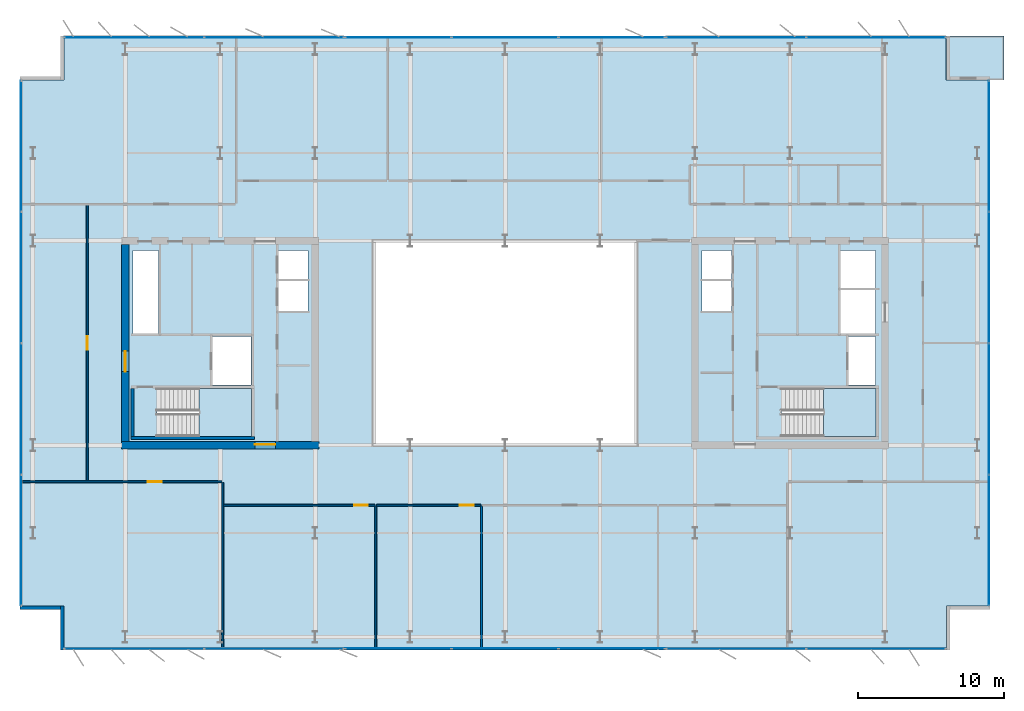
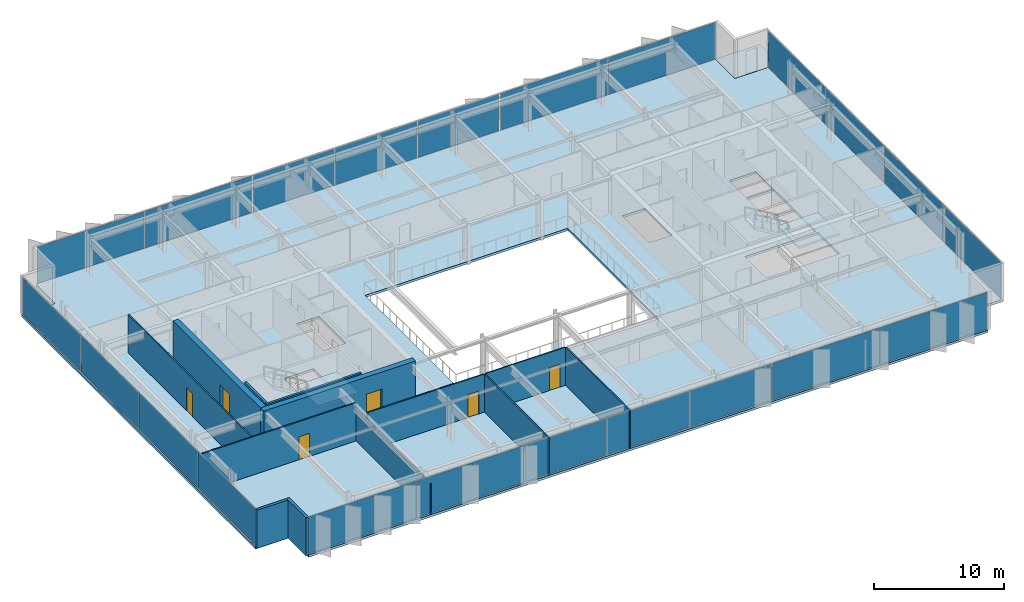
# One storey, part 16 of 23: 22 plates, 13 walls, 6 doors, 4 slabs, 6 openings, 10 elements without a shape of their own.
"""IFC4 building model written with IfcOpenShell, lengths in metres."""

from ifc_helpers import new_model, si_unit, direction, frame, frame_2d, origin, origin_2d, place, context, subcontext, project, spatial, polyline, rectangle, outline, extrude, material, layer, layer_set, type_object, element, fill, aggregate, save


model = new_model("IFC4")

# Units and contexts
model_context = context("Model", 3, precision=1e-05, world=origin(), true_north=direction((0.0, 1.0)))
body_context = subcontext(model_context, "Body", "Model", "MODEL_VIEW")
ifc_project = project(units=[si_unit("LENGTHUNIT", "METRE"), si_unit("AREAUNIT", "SQUARE_METRE"), si_unit("VOLUMEUNIT", "CUBIC_METRE"), si_unit("PLANEANGLEUNIT", "RADIAN"), si_unit("MASSUNIT", "GRAM", prefix="KILO")], contexts=[model_context])

# Site, building, storey
site_placement = place(None, origin())
site = spatial("IfcSite", under=ifc_project, at=site_placement, CompositionType="ELEMENT")
building_placement = place(site_placement, origin())
building = spatial("IfcBuilding", under=site, at=building_placement, Name="Putna Gate Headquarters", CompositionType="ELEMENT")
storey_placement = place(building_placement, frame((0.0, 0.0, 206.199951171875)))
storey = spatial("IfcBuildingStorey", under=building, at=storey_placement, Name="L51", CompositionType="ELEMENT", Elevation=206.199951171875)

# Stair, slab
ifc_material_1 = material(Name="Concrete C40/50", Category="concrete")
stair_type_1 = type_object("IfcStairType", Name="STAIR-ST1", PredefinedType="HALF_TURN_STAIR", material=ifc_material_1)
stair_1_placement = place(storey_placement, origin())
stair_1 = element("IfcStair", 1, at=stair_1_placement, inside=storey, type_object=stair_type_1, Name="L51 West Core Exit Stair ST1", PredefinedType="HALF_TURN_STAIR")
ifc_layer_1 = layer(ifc_material_1, 0.199951171875)
ifc_layer_set_1 = layer_set([ifc_layer_1], Name="Concrete C40/50")
slab_type_1 = type_object("IfcSlabType", Name="LANDING-ST1", PredefinedType="LANDING", material=ifc_layer_set_1)
slab_1_placement = place(storey_placement, frame((0.0, 0.0, 1.699951171875)))
slab_1 = element("IfcSlab", 2, at=slab_1_placement, type_object=slab_type_1, Name="ST1 landing 1", PredefinedType="LANDING", context=body_context, shape_type="SweptSolid", body=[
    extrude(outline(polyline([(18.050048828125, 19.60009765625), (21.64990234375, 19.60009765625), (21.64990234375, 22.89990234375), (18.050048828125, 22.89990234375), (18.050048828125, 19.60009765625)])), origin(), (0.0, 0.0, 1.0), 0.2001953125),
])
aggregate(stair_1, [slab_1])

stair_type_2 = type_object("IfcStairType", Name="STAIR-ST2", PredefinedType="HALF_TURN_STAIR", material=ifc_material_1)
stair_2_placement = place(storey_placement, origin())
stair_2 = element("IfcStair", 3, at=stair_2_placement, inside=storey, type_object=stair_type_2, Name="L51 East Core Exit Stair ST2", PredefinedType="HALF_TURN_STAIR")
ifc_layer_2 = layer(ifc_material_1, 0.199951171875)
ifc_layer_set_2 = layer_set([ifc_layer_2], Name="Concrete C40/50")
slab_type_2 = type_object("IfcSlabType", Name="LANDING-ST2", PredefinedType="LANDING", material=ifc_layer_set_2)
slab_2_placement = place(storey_placement, frame((0.0, 0.0, 1.699951171875)))
slab_2 = element("IfcSlab", 4, at=slab_2_placement, type_object=slab_type_2, Name="ST2 landing 1", PredefinedType="LANDING", context=body_context, shape_type="SweptSolid", body=[
    extrude(outline(polyline([(60.800048828125, 19.60009765625), (64.39990234375, 19.60009765625), (64.39990234375, 22.89990234375), (60.800048828125, 22.89990234375), (60.800048828125, 19.60009765625)])), origin(), (0.0, 0.0, 1.0), 0.2001953125),
])
aggregate(stair_2, [slab_2])

# Curtain wall, plates
ifc_material_2 = material(Name="Anodised bronze aluminium curtain wall", Category="aluminium")
ifc_layer_3 = layer(ifc_material_2, 0.139892578125)
ifc_layer_set_3 = layer_set([ifc_layer_3], Name="Anodised bronze aluminium curtain wall")
curtain_wall_type_1 = type_object("IfcCurtainWallType", Name="CW-SYS-Z4", PredefinedType="USERDEFINED", material=ifc_layer_set_3)
curtain_wall_1_placement = place(storey_placement, origin())
curtain_wall_1 = element("IfcCurtainWall", 5, at=curtain_wall_1_placement, inside=storey, type_object=curtain_wall_type_1, Name="L51 South West Curtain Wall", ObjectType="STICK CURTAIN WALL", PredefinedType="USERDEFINED")
ifc_material_3 = material(Name="Solar-control triple low-E glass", Category="glass")
ifc_layer_4 = layer(ifc_material_3, 0.02587890625)
ifc_layer_set_4 = layer_set([ifc_layer_4], Name="Solar-control triple low-E glass")
plate_type_1 = type_object("IfcPlateType", Name="PAN-CWP-4", PredefinedType="CURTAIN_PANEL", material=ifc_layer_set_4)
plate_1_placement = place(storey_placement, frame((13.614990234375, 5.080078125, 0.06005859375), z_axis=(0.0, 0.0, 1.0), x_axis=(1.0, 0.0, 0.0)))
plate_1 = element("IfcPlate", 6, at=plate_1_placement, type_object=plate_type_1, Name="CWS-4 panel 1.1", PredefinedType="CURTAIN_PANEL", context=body_context, shape_type="SweptSolid", body=[
    extrude(rectangle(XDim=9.510009765625, YDim=0.02587890625, at=origin_2d()), origin(), (0.0, 0.0, 1.0), 3.4599609375),
])
plate_2_placement = place(storey_placement, frame((23.18505859375, 5.080078125, 0.06005859375), z_axis=(0.0, 0.0, 1.0), x_axis=(1.0, 0.0, 0.0)))
plate_2 = element("IfcPlate", 7, at=plate_2_placement, type_object=plate_type_1, Name="CWS-4 panel 2.1", PredefinedType="CURTAIN_PANEL", context=body_context, shape_type="SweptSolid", body=[
    extrude(rectangle(XDim=9.510009765625, YDim=0.02587890625, at=origin_2d()), origin(), (0.0, 0.0, 1.0), 3.4599609375),
])
aggregate(curtain_wall_1, [plate_1, plate_2])

curtain_wall_2_placement = place(storey_placement, origin())
curtain_wall_2 = element("IfcCurtainWall", 8, at=curtain_wall_2_placement, inside=storey, type_object=curtain_wall_type_1, Name="L51 South East Curtain Wall", ObjectType="STICK CURTAIN WALL", PredefinedType="USERDEFINED")
plate_3_placement = place(storey_placement, frame((54.81494140625, 5.080078125, 0.06005859375), z_axis=(0.0, 0.0, 1.0), x_axis=(1.0, 0.0, 0.0)))
plate_3 = element("IfcPlate", 9, at=plate_3_placement, type_object=plate_type_1, Name="CWS-4 panel 1.1", PredefinedType="CURTAIN_PANEL", context=body_context, shape_type="SweptSolid", body=[
    extrude(rectangle(XDim=9.510009765625, YDim=0.02587890625, at=origin_2d()), origin(), (0.0, 0.0, 1.0), 3.4599609375),
])
plate_4_placement = place(storey_placement, frame((64.385009765625, 5.080078125, 0.06005859375), z_axis=(0.0, 0.0, 1.0), x_axis=(1.0, 0.0, 0.0)))
plate_4 = element("IfcPlate", 10, at=plate_4_placement, type_object=plate_type_1, Name="CWS-4 panel 2.1", PredefinedType="CURTAIN_PANEL", context=body_context, shape_type="SweptSolid", body=[
    extrude(rectangle(XDim=9.510009765625, YDim=0.02587890625, at=origin_2d()), origin(), (0.0, 0.0, 1.0), 3.4599609375),
])
aggregate(curtain_wall_2, [plate_3, plate_4])

curtain_wall_3_placement = place(storey_placement, origin())
curtain_wall_3 = element("IfcCurtainWall", 11, at=curtain_wall_3_placement, inside=storey, type_object=curtain_wall_type_1, Name="L51 North West Curtain Wall", ObjectType="STICK CURTAIN WALL", PredefinedType="USERDEFINED")
plate_5_placement = place(storey_placement, frame((13.614990234375, 46.919921875, 0.06005859375), z_axis=(0.0, 0.0, 1.0), x_axis=(1.0, 0.0, 0.0)))
plate_5 = element("IfcPlate", 12, at=plate_5_placement, type_object=plate_type_1, Name="CWS-4 panel 1.1", PredefinedType="CURTAIN_PANEL", context=body_context, shape_type="SweptSolid", body=[
    extrude(rectangle(XDim=9.510009765625, YDim=0.02587890625, at=origin_2d()), origin(), (0.0, 0.0, 1.0), 3.4599609375),
])
plate_6_placement = place(storey_placement, frame((23.18505859375, 46.919921875, 0.06005859375), z_axis=(0.0, 0.0, 1.0), x_axis=(1.0, 0.0, 0.0)))
plate_6 = element("IfcPlate", 13, at=plate_6_placement, type_object=plate_type_1, Name="CWS-4 panel 2.1", PredefinedType="CURTAIN_PANEL", context=body_context, shape_type="SweptSolid", body=[
    extrude(rectangle(XDim=9.510009765625, YDim=0.02587890625, at=origin_2d()), origin(), (0.0, 0.0, 1.0), 3.4599609375),
])
aggregate(curtain_wall_3, [plate_5, plate_6])

curtain_wall_4_placement = place(storey_placement, origin())
curtain_wall_4 = element("IfcCurtainWall", 14, at=curtain_wall_4_placement, inside=storey, type_object=curtain_wall_type_1, Name="L51 North East Curtain Wall", ObjectType="STICK CURTAIN WALL", PredefinedType="USERDEFINED")
plate_7_placement = place(storey_placement, frame((54.81494140625, 46.919921875, 0.06005859375), z_axis=(0.0, 0.0, 1.0), x_axis=(1.0, 0.0, 0.0)))
plate_7 = element("IfcPlate", 15, at=plate_7_placement, type_object=plate_type_1, Name="CWS-4 panel 1.1", PredefinedType="CURTAIN_PANEL", context=body_context, shape_type="SweptSolid", body=[
    extrude(rectangle(XDim=9.510009765625, YDim=0.02587890625, at=origin_2d()), origin(), (0.0, 0.0, 1.0), 3.4599609375),
])
plate_8_placement = place(storey_placement, frame((64.385009765625, 46.919921875, 0.06005859375), z_axis=(0.0, 0.0, 1.0), x_axis=(1.0, 0.0, 0.0)))
plate_8 = element("IfcPlate", 16, at=plate_8_placement, type_object=plate_type_1, Name="CWS-4 panel 2.1", PredefinedType="CURTAIN_PANEL", context=body_context, shape_type="SweptSolid", body=[
    extrude(rectangle(XDim=9.510009765625, YDim=0.02587890625, at=origin_2d()), origin(), (0.0, 0.0, 1.0), 3.4599609375),
])
aggregate(curtain_wall_4, [plate_7, plate_8])

curtain_wall_5_placement = place(storey_placement, origin())
curtain_wall_5 = element("IfcCurtainWall", 17, at=curtain_wall_5_placement, inside=storey, type_object=curtain_wall_type_1, Name="L51 West Curtain Wall", ObjectType="STICK CURTAIN WALL", PredefinedType="USERDEFINED")
plate_9_placement = place(storey_placement, frame((5.8798828125, 12.514892578125, 0.06005859375), z_axis=(0.0, 0.0, 1.0), x_axis=(0.0, 1.0, 0.0)))
plate_9 = element("IfcPlate", 18, at=plate_9_placement, type_object=plate_type_1, Name="CWS-4 panel 1.1", PredefinedType="CURTAIN_PANEL", context=body_context, shape_type="SweptSolid", body=[
    extrude(rectangle(XDim=8.909912109375, YDim=0.02587890625, at=origin_2d()), origin(), (0.0, 0.0, 1.0), 3.4599609375),
])
plate_10_placement = place(storey_placement, frame((5.8798828125, 21.5, 0.06005859375), z_axis=(0.0, 0.0, 1.0), x_axis=(0.0, 1.0, 0.0)))
plate_10 = element("IfcPlate", 19, at=plate_10_placement, type_object=plate_type_1, Name="CWS-4 panel 2.1", PredefinedType="CURTAIN_PANEL", context=body_context, shape_type="SweptSolid", body=[
    extrude(rectangle(XDim=8.93994140625, YDim=0.02587890625, at=origin_2d()), origin(), (0.0, 0.0, 1.0), 3.4599609375),
])
plate_11_placement = place(storey_placement, frame((5.8798828125, 30.5, 0.06005859375), z_axis=(0.0, 0.0, 1.0), x_axis=(0.0, 1.0, 0.0)))
plate_11 = element("IfcPlate", 20, at=plate_11_placement, type_object=plate_type_1, Name="CWS-4 panel 3.1", PredefinedType="CURTAIN_PANEL", context=body_context, shape_type="SweptSolid", body=[
    extrude(rectangle(XDim=8.93994140625, YDim=0.02587890625, at=origin_2d()), origin(), (0.0, 0.0, 1.0), 3.4599609375),
])
plate_12_placement = place(storey_placement, frame((5.8798828125, 39.485107421875, 0.06005859375), z_axis=(0.0, 0.0, 1.0), x_axis=(0.0, 1.0, 0.0)))
plate_12 = element("IfcPlate", 21, at=plate_12_placement, type_object=plate_type_1, Name="CWS-4 panel 4.1", PredefinedType="CURTAIN_PANEL", context=body_context, shape_type="SweptSolid", body=[
    extrude(rectangle(XDim=8.909912109375, YDim=0.02587890625, at=origin_2d()), origin(), (0.0, 0.0, 1.0), 3.4599609375),
])
aggregate(curtain_wall_5, [plate_9, plate_10, plate_11, plate_12])

curtain_wall_6_placement = place(storey_placement, origin())
curtain_wall_6 = element("IfcCurtainWall", 22, at=curtain_wall_6_placement, inside=storey, type_object=curtain_wall_type_1, Name="L51 East Curtain Wall", ObjectType="STICK CURTAIN WALL", PredefinedType="USERDEFINED")
plate_13_placement = place(storey_placement, frame((72.1201171875, 12.514892578125, 0.06005859375), z_axis=(0.0, 0.0, 1.0), x_axis=(0.0, 1.0, 0.0)))
plate_13 = element("IfcPlate", 23, at=plate_13_placement, type_object=plate_type_1, Name="CWS-4 panel 1.1", PredefinedType="CURTAIN_PANEL", context=body_context, shape_type="SweptSolid", body=[
    extrude(rectangle(XDim=8.909912109375, YDim=0.02587890625, at=origin_2d()), origin(), (0.0, 0.0, 1.0), 3.4599609375),
])
plate_14_placement = place(storey_placement, frame((72.1201171875, 21.5, 0.06005859375), z_axis=(0.0, 0.0, 1.0), x_axis=(0.0, 1.0, 0.0)))
plate_14 = element("IfcPlate", 24, at=plate_14_placement, type_object=plate_type_1, Name="CWS-4 panel 2.1", PredefinedType="CURTAIN_PANEL", context=body_context, shape_type="SweptSolid", body=[
    extrude(rectangle(XDim=8.93994140625, YDim=0.02587890625, at=origin_2d()), origin(), (0.0, 0.0, 1.0), 3.4599609375),
])
plate_15_placement = place(storey_placement, frame((72.1201171875, 30.5, 0.06005859375), z_axis=(0.0, 0.0, 1.0), x_axis=(0.0, 1.0, 0.0)))
plate_15 = element("IfcPlate", 25, at=plate_15_placement, type_object=plate_type_1, Name="CWS-4 panel 3.1", PredefinedType="CURTAIN_PANEL", context=body_context, shape_type="SweptSolid", body=[
    extrude(rectangle(XDim=8.93994140625, YDim=0.02587890625, at=origin_2d()), origin(), (0.0, 0.0, 1.0), 3.4599609375),
])
plate_16_placement = place(storey_placement, frame((72.1201171875, 39.485107421875, 0.06005859375), z_axis=(0.0, 0.0, 1.0), x_axis=(0.0, 1.0, 0.0)))
plate_16 = element("IfcPlate", 26, at=plate_16_placement, type_object=plate_type_1, Name="CWS-4 panel 4.1", PredefinedType="CURTAIN_PANEL", context=body_context, shape_type="SweptSolid", body=[
    extrude(rectangle(XDim=8.909912109375, YDim=0.02587890625, at=origin_2d()), origin(), (0.0, 0.0, 1.0), 3.4599609375),
])
aggregate(curtain_wall_6, [plate_13, plate_14, plate_15, plate_16])

ifc_layer_5 = layer(ifc_material_2, 0.179931640625)
ifc_layer_set_5 = layer_set([ifc_layer_5], Name="Anodised bronze aluminium curtain wall")
curtain_wall_type_2 = type_object("IfcCurtainWallType", Name="CW-SYS-ATR", PredefinedType="USERDEFINED", material=ifc_layer_set_5)
curtain_wall_7_placement = place(storey_placement, origin())
curtain_wall_7 = element("IfcCurtainWall", 27, at=curtain_wall_7_placement, inside=storey, type_object=curtain_wall_type_2, Name="L51 South Atrium Clear Glazing", ObjectType="ATRIUM GLAZING", PredefinedType="USERDEFINED")
ifc_material_4 = material(Name="Clear low-iron triple glazing", Category="glass")
ifc_layer_6 = layer(ifc_material_4, 0.0400390625)
ifc_layer_set_6 = layer_set([ifc_layer_6], Name="Clear low-iron triple glazing")
plate_type_2 = type_object("IfcPlateType", Name="PAN-CWP-AT", PredefinedType="CURTAIN_PANEL", material=ifc_layer_set_6)
plate_17_placement = place(storey_placement, frame((31.68408203125, 5.080078125, 0.070068359375), z_axis=(0.0, 0.0, 1.0), x_axis=(1.0, 0.0, 0.0)))
plate_17 = element("IfcPlate", 28, at=plate_17_placement, type_object=plate_type_2, Name="CWS-AT panel 1.1", PredefinedType="CURTAIN_PANEL", context=body_context, shape_type="SweptSolid", body=[
    extrude(rectangle(XDim=7.228271484375, YDim=0.0400390625, at=origin_2d()), origin(), (0.0, 0.0, 1.0), 3.43994140625),
])
plate_18_placement = place(storey_placement, frame((39.0, 5.080078125, 0.070068359375), z_axis=(0.0, 0.0, 1.0), x_axis=(1.0, 0.0, 0.0)))
plate_18 = element("IfcPlate", 29, at=plate_18_placement, type_object=plate_type_2, Name="CWS-AT panel 2.1", PredefinedType="CURTAIN_PANEL", context=body_context, shape_type="SweptSolid", body=[
    extrude(rectangle(XDim=7.263427734375, YDim=0.0400390625, at=origin_2d()), origin(), (0.0, 0.0, 1.0), 3.43994140625),
])
plate_19_placement = place(storey_placement, frame((46.31591796875, 5.080078125, 0.070068359375), z_axis=(0.0, 0.0, 1.0), x_axis=(1.0, 0.0, 0.0)))
plate_19 = element("IfcPlate", 30, at=plate_19_placement, type_object=plate_type_2, Name="CWS-AT panel 3.1", PredefinedType="CURTAIN_PANEL", context=body_context, shape_type="SweptSolid", body=[
    extrude(rectangle(XDim=7.228271484375, YDim=0.0400390625, at=origin_2d()), origin(), (0.0, 0.0, 1.0), 3.43994140625),
])
aggregate(curtain_wall_7, [plate_17, plate_18, plate_19])

curtain_wall_8_placement = place(storey_placement, origin())
curtain_wall_8 = element("IfcCurtainWall", 31, at=curtain_wall_8_placement, inside=storey, type_object=curtain_wall_type_2, Name="L51 North Atrium Clear Glazing", ObjectType="ATRIUM GLAZING", PredefinedType="USERDEFINED")
plate_20_placement = place(storey_placement, frame((31.68408203125, 46.919921875, 0.070068359375), z_axis=(0.0, 0.0, 1.0), x_axis=(1.0, 0.0, 0.0)))
plate_20 = element("IfcPlate", 32, at=plate_20_placement, type_object=plate_type_2, Name="CWS-AT panel 1.1", PredefinedType="CURTAIN_PANEL", context=body_context, shape_type="SweptSolid", body=[
    extrude(rectangle(XDim=7.228271484375, YDim=0.0400390625, at=origin_2d()), origin(), (0.0, 0.0, 1.0), 3.43994140625),
])
plate_21_placement = place(storey_placement, frame((39.0, 46.919921875, 0.070068359375), z_axis=(0.0, 0.0, 1.0), x_axis=(1.0, 0.0, 0.0)))
plate_21 = element("IfcPlate", 33, at=plate_21_placement, type_object=plate_type_2, Name="CWS-AT panel 2.1", PredefinedType="CURTAIN_PANEL", context=body_context, shape_type="SweptSolid", body=[
    extrude(rectangle(XDim=7.263427734375, YDim=0.0400390625, at=origin_2d()), origin(), (0.0, 0.0, 1.0), 3.43994140625),
])
plate_22_placement = place(storey_placement, frame((46.31591796875, 46.919921875, 0.070068359375), z_axis=(0.0, 0.0, 1.0), x_axis=(1.0, 0.0, 0.0)))
plate_22 = element("IfcPlate", 34, at=plate_22_placement, type_object=plate_type_2, Name="CWS-AT panel 3.1", PredefinedType="CURTAIN_PANEL", context=body_context, shape_type="SweptSolid", body=[
    extrude(rectangle(XDim=7.228271484375, YDim=0.0400390625, at=origin_2d()), origin(), (0.0, 0.0, 1.0), 3.43994140625),
])
aggregate(curtain_wall_8, [plate_20, plate_21, plate_22])

# Slabs
ifc_layer_7 = layer(ifc_material_1, 0.179931640625)
ifc_layer_set_7 = layer_set([ifc_layer_7], Name="Concrete C40/50")
slab_type_3 = type_object("IfcSlabType", Name="SLAB-TERRACE-180", PredefinedType="FLOOR", material=ifc_layer_set_7)
slab_3_placement = place(storey_placement, frame((0.0, 0.0, -0.179931640625)))
element("IfcSlab", 35, at=slab_3_placement, inside=storey, type_object=slab_type_3, Name="L51 Spiral Sky-Garden Terrace Slab (NE)", PredefinedType="FLOOR", context=body_context, shape_type="SweptSolid", body=[
    extrude(outline(polyline([(69.19189453125, 43.991943359375), (73.14990234375, 43.991943359375), (73.14990234375, 47.0), (69.19189453125, 47.0), (69.19189453125, 43.991943359375)])), origin(), (0.0, 0.0, 1.0), 0.179931640625),
])
ifc_layer_8 = layer(ifc_material_1, 0.219970703125)
ifc_layer_set_8 = layer_set([ifc_layer_8], Name="Concrete C40/50")
slab_type_4 = type_object("IfcSlabType", Name="SLAB-Z4-220", PredefinedType="FLOOR", material=ifc_layer_set_8)
slab_4_placement = place(storey_placement, frame((0.0, 0.0, -0.219970703125)))
element("IfcSlab", 36, at=slab_4_placement, inside=storey, type_object=slab_type_4, Name="L51 Composite Floor Slab", PredefinedType="FLOOR", context=body_context, shape_type="SweptSolid", body=[
    extrude(outline(polyline([(8.800048828125, 5.0), (69.199951171875, 5.0), (69.199951171875, 8.0), (72.199951171875, 8.0), (72.199951171875, 44.0), (69.199951171875, 44.0), (69.199951171875, 47.0), (8.800048828125, 47.0), (8.800048828125, 44.0), (5.800048828125, 44.0), (5.800048828125, 8.0), (8.800048828125, 8.0), (8.800048828125, 5.0)]), holes=[polyline([(15.1650390625, 19.60009765625), (21.64990234375, 19.60009765625), (21.64990234375, 22.89990234375), (15.1650390625, 22.89990234375), (15.1650390625, 19.60009765625)]), polyline([(57.9150390625, 19.60009765625), (64.39990234375, 19.60009765625), (64.39990234375, 22.89990234375), (57.9150390625, 22.89990234375), (57.9150390625, 19.60009765625)]), polyline([(13.52001953125, 26.659912109375), (15.280029296875, 26.659912109375), (15.280029296875, 32.35009765625), (13.52001953125, 32.35009765625), (13.52001953125, 26.659912109375)]), polyline([(61.969970703125, 29.780029296875), (64.35009765625, 29.780029296875), (64.35009765625, 32.35009765625), (61.969970703125, 32.35009765625), (61.969970703125, 29.780029296875)]), polyline([(18.97998046875, 23.1201171875), (21.6201171875, 23.1201171875), (21.6201171875, 26.4599609375), (18.97998046875, 26.4599609375), (18.97998046875, 23.1201171875)]), polyline([(62.52001953125, 23.1201171875), (64.35009765625, 23.1201171875), (64.35009765625, 26.4599609375), (62.52001953125, 26.4599609375), (62.52001953125, 23.1201171875)]), polyline([(61.969970703125, 26.659912109375), (64.35009765625, 26.659912109375), (64.35009765625, 29.6201171875), (61.969970703125, 29.6201171875), (61.969970703125, 26.659912109375)]), polyline([(23.5, 28.199951171875), (25.5, 28.199951171875), (25.5, 32.35009765625), (23.5, 32.35009765625), (23.5, 28.199951171875)]), polyline([(52.47998046875, 28.199951171875), (54.5, 28.199951171875), (54.5, 32.35009765625), (52.47998046875, 32.35009765625), (52.47998046875, 28.199951171875)]), polyline([(30.0, 19.0), (48.0, 19.0), (48.0, 33.0), (30.0, 33.0), (30.0, 19.0)])]), origin(), (0.0, 0.0, 1.0), 0.219970703125),
])

# Wall, opening, door
ifc_material_5 = material(Name="Concrete C50/60", Category="concrete")
ifc_layer_9 = layer(ifc_material_5, 0.5)
ifc_layer_set_9 = layer_set([ifc_layer_9], Name="Concrete C50/60")
wall_type_1 = type_object("IfcWallType", Name="WALL-CORE-500", PredefinedType="SHEAR", material=ifc_layer_set_9)
wall_1_placement = place(storey_placement, frame((12.75, 19.0, 0.0), z_axis=(0.0, 0.0, 1.0), x_axis=(1.0, 0.0, 0.0)))
wall_1 = element("IfcWall", 37, at=wall_1_placement, inside=storey, type_object=wall_type_1, Name="L51 WC Split Core Shear Wall S", PredefinedType="SHEAR", context=body_context, shape_type="SweptSolid", body=[
    extrude(rectangle(XDim=13.5, YDim=0.5, at=frame_2d((6.75, 0.0))), origin(), (0.0, 0.0, 1.0), 3.800048828125),
])
opening_1_placement = place(wall_1_placement, frame((9.1298828125, 0.0, 0.0)))
opening_1 = element("IfcOpeningElement", 38, at=opening_1_placement, cuts=wall_1, Name="Opening FDD-140", PredefinedType="OPENING", context=body_context, shape_type="SweptSolid", body=[
    extrude(rectangle(XDim=1.39990234375, YDim=2.199951171875, at=frame_2d((0.699951171875, 1.10009765625))), frame((0.0, 0.260009765625, 0.0), z_axis=(0.0, -1.0, 0.0), x_axis=(1.0, 0.0, 0.0)), (0.0, 0.0, 1.0), 0.52001953125),
])
ifc_material_6 = material(Name="Double steel fire door", Category="steel")
door_type_1 = type_object("IfcDoorType", Name="DOOR-FIRE-DBL-1400", OperationType="DOUBLE_DOOR_SINGLE_SWING", PredefinedType="DOOR", material=ifc_material_6)
door_1_placement = place(opening_1_placement, origin())
door_1 = element("IfcDoor", 39, at=door_1_placement, inside=storey, type_object=door_type_1, Name="L51 West Lift Lobby South Door", OperationType="DOUBLE_DOOR_SINGLE_SWING", OverallHeight=2.199951171875, OverallWidth=1.39990234375, PredefinedType="DOOR", context=body_context, shape_type="SweptSolid", body=[
    extrude(rectangle(XDim=1.39990234375, YDim=2.199951171875, at=frame_2d((0.699951171875, 1.10009765625))), frame((0.0, 0.0751953125, 0.0), z_axis=(0.0, -1.0, 0.0), x_axis=(1.0, 0.0, 0.0)), (0.0, 0.0, 1.0), 0.050048828125),
])
fill(opening_1, door_1)

wall_2_placement = place(storey_placement, frame((13.0, 19.25, 0.0), z_axis=(0.0, 0.0, 1.0), x_axis=(0.0, 1.0, 0.0)))
wall_2 = element("IfcWall", 40, at=wall_2_placement, inside=storey, type_object=wall_type_1, Name="L51 WC Split Core Shear Wall W", PredefinedType="SHEAR", context=body_context, shape_type="SweptSolid", body=[
    extrude(rectangle(XDim=13.5, YDim=0.5, at=frame_2d((6.75, 0.0))), origin(), (0.0, 0.0, 1.0), 3.800048828125),
])
opening_2_placement = place(wall_2_placement, frame((4.800048828125, 0.0, 0.0)))
opening_2 = element("IfcOpeningElement", 41, at=opening_2_placement, cuts=wall_2, Name="Opening FDD-140", PredefinedType="OPENING", context=body_context, shape_type="SweptSolid", body=[
    extrude(rectangle(XDim=1.39990234375, YDim=2.199951171875, at=frame_2d((0.699951171875, 1.10009765625))), frame((0.0, 0.260009765625, 0.0), z_axis=(0.0, -1.0, 0.0), x_axis=(1.0, 0.0, 0.0)), (0.0, 0.0, 1.0), 0.52001953125),
])
door_2_placement = place(opening_2_placement, origin())
door_2 = element("IfcDoor", 42, at=door_2_placement, inside=storey, type_object=door_type_1, Name="L51 West Firefighting Lobby Door", OperationType="DOUBLE_DOOR_SINGLE_SWING", OverallHeight=2.199951171875, OverallWidth=1.39990234375, PredefinedType="DOOR", context=body_context, shape_type="SweptSolid", body=[
    extrude(rectangle(XDim=1.39990234375, YDim=2.199951171875, at=frame_2d((0.699951171875, 1.10009765625))), frame((0.0, 0.02490234375, 0.0), z_axis=(0.0, -1.0, 0.0), x_axis=(1.0, 0.0, 0.0)), (0.0, 0.0, 1.0), 0.050048828125),
])
fill(opening_2, door_2)

# Walls
ifc_material_7 = material(Name="Precast concrete C40/50", Category="concrete")
ifc_layer_10 = layer(ifc_material_7, 0.239990234375)
ifc_layer_set_10 = layer_set([ifc_layer_10], Name="Precast concrete C40/50")
wall_type_2 = type_object("IfcWallType", Name="WALL-EXT-TERR-240", PredefinedType="STANDARD", material=ifc_layer_set_10)
for number, where, z_axis, x_axis, name in (
    (43, (8.679931640625, 5.0, 0.0), (0.0, 0.0, 1.0), (0.0, 1.0, 0.0), "L51 Corner Notch Return Wall SW-V"),
    (44, (8.800048828125, 7.8798828125, 0.0), (0.0, 0.0, 1.0), (-1.0, 0.0, 0.0), "L51 Corner Notch Return Wall SW-H"),
):
    element("IfcWall", number, at=place(storey_placement, frame(where, z_axis=z_axis, x_axis=x_axis)), inside=storey, type_object=wall_type_2, Name=name, PredefinedType="STANDARD", context=body_context, shape_type="SweptSolid", body=[
        extrude(rectangle(XDim=3.0, YDim=0.239990234375, at=frame_2d((1.5, 0.0))), origin(), (0.0, 0.0, 1.0), 3.580078125),
    ])
ifc_material_8 = material(Name="Acoustic gypsum board on metal stud")
ifc_layer_11 = layer(ifc_material_8, 0.1201171875)
ifc_layer_set_11 = layer_set([ifc_layer_11], Name="Acoustic gypsum board on metal stud")
wall_type_3 = type_object("IfcWallType", Name="WALL-PART-120", PredefinedType="PARTITIONING", material=ifc_layer_set_11)
wall_3_placement = place(storey_placement, frame((19.683349609375, 5.02001953125, 0.0), z_axis=(0.0, 0.0, 1.0), x_axis=(0.0, 1.0, 0.0)))
element("IfcWall", 45, at=wall_3_placement, inside=storey, type_object=wall_type_3, Name="L51 Interior Wall PART-L51-SB-DIV-01", PredefinedType="PARTITIONING", context=body_context, shape_type="SweptSolid", body=[
    extrude(rectangle(XDim=11.419921875, YDim=0.1201171875, at=frame_2d((5.7099609375, 0.0))), origin(), (0.0, 0.0, 1.0), 2.880126953125),
])
for number, where, z_axis, x_axis, name in (
    (46, (30.150634765625, 5.02001953125, 0.0), (0.0, 0.0, 1.0), (0.0, 1.0, 0.0), "L51 Interior Wall PART-L51-SB-DIV-02"),
    (47, (37.382080078125, 5.02001953125, 0.0), (0.0, 0.0, 1.0), (0.0, 1.0, 0.0), "L51 Interior Wall PART-L51-SB-DIV-03"),
):
    element("IfcWall", number, at=place(storey_placement, frame(where, z_axis=z_axis, x_axis=x_axis)), inside=storey, type_object=wall_type_3, Name=name, PredefinedType="PARTITIONING", context=body_context, shape_type="SweptSolid", body=[
        extrude(rectangle(XDim=9.820068359375, YDim=0.1201171875, at=frame_2d((4.91015625, 0.0))), origin(), (0.0, 0.0, 1.0), 3.580078125),
    ])

# Wall, opening, door
ifc_material_9 = material(Name="Fire-rated gypsum board on metal stud")
ifc_layer_12 = layer(ifc_material_9, 0.1201171875)
ifc_layer_set_12 = layer_set([ifc_layer_12], Name="Fire-rated gypsum board on metal stud")
wall_type_4 = type_object("IfcWallType", Name="WALL-PART-120-RATED", PredefinedType="PARTITIONING", material=ifc_layer_set_12)
wall_4_placement = place(storey_placement, frame((5.97998046875, 16.5, 0.0), z_axis=(0.0, 0.0, 1.0), x_axis=(1.0, 0.0, 0.0)))
wall_4 = element("IfcWall", 48, at=wall_4_placement, inside=storey, type_object=wall_type_4, Name="L51 Interior Wall PART-L51-SB-CW-01", PredefinedType="PARTITIONING", context=body_context, shape_type="SweptSolid", body=[
    extrude(rectangle(XDim=13.643310546875, YDim=0.1201171875, at=frame_2d((6.82177734375, 0.0))), origin(), (0.0, 0.0, 1.0), 3.580078125),
])
opening_3_placement = place(wall_4_placement, frame((8.556640625, 0.0, 0.0)))
opening_3 = element("IfcOpeningElement", 49, at=opening_3_placement, cuts=wall_4, Name="Opening FD-95", PredefinedType="OPENING", context=body_context, shape_type="SweptSolid", body=[
    extrude(rectangle(XDim=0.949951171875, YDim=2.14990234375, at=frame_2d((0.47509765625, 1.074951171875))), frame((0.0, 0.070068359375, 0.0), z_axis=(0.0, -1.0, 0.0), x_axis=(1.0, 0.0, 0.0)), (0.0, 0.0, 1.0), 0.14013671875),
])
ifc_material_10 = material(Name="Acoustic timber fire door", Category="wood")
door_type_2 = type_object("IfcDoorType", Name="DOOR-FIRE-950", OperationType="NOTDEFINED", PredefinedType="DOOR", material=ifc_material_10)
door_3_placement = place(opening_3_placement, origin())
door_3 = element("IfcDoor", 50, at=door_3_placement, inside=storey, type_object=door_type_2, Name="L51 Collaborative Breakout Lounge 1 Door", OperationType="SINGLE_SWING_LEFT", OverallHeight=2.14990234375, OverallWidth=0.949951171875, PredefinedType="DOOR", context=body_context, shape_type="SweptSolid", body=[
    extrude(rectangle(XDim=0.949951171875, YDim=2.14990234375, at=frame_2d((0.47509765625, 1.074951171875))), frame((0.0, 0.02490234375, 0.0), z_axis=(0.0, -1.0, 0.0), x_axis=(1.0, 0.0, 0.0)), (0.0, 0.0, 1.0), 0.050048828125),
])
fill(opening_3, door_3)

wall_5_placement = place(storey_placement, frame((19.743408203125, 14.89990234375, 0.0), z_axis=(0.0, 0.0, 1.0), x_axis=(1.0, 0.0, 0.0)))
wall_5 = element("IfcWall", 51, at=wall_5_placement, inside=storey, type_object=wall_type_4, Name="L51 Interior Wall PART-L51-SB-CW-02", PredefinedType="PARTITIONING", context=body_context, shape_type="SweptSolid", body=[
    extrude(rectangle(XDim=10.34716796875, YDim=0.1201171875, at=frame_2d((5.173583984375, 0.0))), origin(), (0.0, 0.0, 1.0), 3.580078125),
])
opening_4_placement = place(wall_5_placement, frame((8.917236328125, 0.0, 0.0)))
opening_4 = element("IfcOpeningElement", 52, at=opening_4_placement, cuts=wall_5, Name="Opening FD-95", PredefinedType="OPENING", context=body_context, shape_type="SweptSolid", body=[
    extrude(rectangle(XDim=0.949951171875, YDim=2.14990234375, at=frame_2d((0.47509765625, 1.074951171875))), frame((0.0, 0.070068359375, 0.0), z_axis=(0.0, -1.0, 0.0), x_axis=(1.0, 0.0, 0.0)), (0.0, 0.0, 1.0), 0.14013671875),
])
door_4_placement = place(opening_4_placement, origin())
door_4 = element("IfcDoor", 53, at=door_4_placement, inside=storey, type_object=door_type_2, Name="L51 Cellular Office 2 Door", OperationType="SINGLE_SWING_RIGHT", OverallHeight=2.14990234375, OverallWidth=0.949951171875, PredefinedType="DOOR", context=body_context, shape_type="SweptSolid", body=[
    extrude(rectangle(XDim=0.949951171875, YDim=2.14990234375, at=frame_2d((0.47509765625, 1.074951171875))), frame((0.0, 0.02490234375, 0.0), z_axis=(0.0, -1.0, 0.0), x_axis=(1.0, 0.0, 0.0)), (0.0, 0.0, 1.0), 0.050048828125),
])
fill(opening_4, door_4)

wall_6_placement = place(storey_placement, frame((30.210693359375, 14.89990234375, 0.0), z_axis=(0.0, 0.0, 1.0), x_axis=(1.0, 0.0, 0.0)))
wall_6 = element("IfcWall", 54, at=wall_6_placement, inside=storey, type_object=wall_type_4, Name="L51 Interior Wall PART-L51-SB-CW-03", PredefinedType="PARTITIONING", context=body_context, shape_type="SweptSolid", body=[
    extrude(rectangle(XDim=7.111328125, YDim=0.1201171875, at=frame_2d((3.5556640625, 0.0))), origin(), (0.0, 0.0, 1.0), 3.580078125),
])
opening_5_placement = place(wall_6_placement, frame((5.681396484375, 0.0, 0.0)))
opening_5 = element("IfcOpeningElement", 55, at=opening_5_placement, cuts=wall_6, Name="Opening FD-95", PredefinedType="OPENING", context=body_context, shape_type="SweptSolid", body=[
    extrude(rectangle(XDim=0.949951171875, YDim=2.14990234375, at=frame_2d((0.47509765625, 1.074951171875))), frame((0.0, 0.070068359375, 0.0), z_axis=(0.0, -1.0, 0.0), x_axis=(1.0, 0.0, 0.0)), (0.0, 0.0, 1.0), 0.14013671875),
])
door_5_placement = place(opening_5_placement, origin())
door_5 = element("IfcDoor", 56, at=door_5_placement, inside=storey, type_object=door_type_2, Name="L51 Cellular Office 3 Door", OperationType="SINGLE_SWING_LEFT", OverallHeight=2.14990234375, OverallWidth=0.949951171875, PredefinedType="DOOR", context=body_context, shape_type="SweptSolid", body=[
    extrude(rectangle(XDim=0.949951171875, YDim=2.14990234375, at=frame_2d((0.47509765625, 1.074951171875))), frame((0.0, 0.02490234375, 0.0), z_axis=(0.0, -1.0, 0.0), x_axis=(1.0, 0.0, 0.0)), (0.0, 0.0, 1.0), 0.050048828125),
])
fill(opening_5, door_5)

wall_7_placement = place(storey_placement, frame((10.39990234375, 16.5, 0.0), z_axis=(0.0, 0.0, 1.0), x_axis=(0.0, 1.0, 0.0)))
wall_7 = element("IfcWall", 57, at=wall_7_placement, inside=storey, type_object=wall_type_4, Name="L51 Interior Wall PART-L51-WW-CW-1", PredefinedType="PARTITIONING", context=body_context, shape_type="SweptSolid", body=[
    extrude(rectangle(XDim=19.0, YDim=0.1201171875, at=frame_2d((9.5, 0.0))), origin(), (0.0, 0.0, 1.0), 3.580078125),
])
opening_6_placement = place(wall_7_placement, frame((9.02490234375, 0.0, 0.0)))
opening_6 = element("IfcOpeningElement", 58, at=opening_6_placement, cuts=wall_7, Name="Opening FD-95", PredefinedType="OPENING", context=body_context, shape_type="SweptSolid", body=[
    extrude(rectangle(XDim=0.949951171875, YDim=2.14990234375, at=frame_2d((0.47509765625, 1.074951171875))), frame((0.0, 0.070068359375, 0.0), z_axis=(0.0, -1.0, 0.0), x_axis=(1.0, 0.0, 0.0)), (0.0, 0.0, 1.0), 0.14013671875),
])
door_6_placement = place(opening_6_placement, origin())
door_6 = element("IfcDoor", 59, at=door_6_placement, inside=storey, type_object=door_type_2, Name="L51 West Executive Office 1 Door", OperationType="SINGLE_SWING_LEFT", OverallHeight=2.14990234375, OverallWidth=0.949951171875, PredefinedType="DOOR", context=body_context, shape_type="SweptSolid", body=[
    extrude(rectangle(XDim=0.949951171875, YDim=2.14990234375, at=frame_2d((0.47509765625, 1.074951171875))), frame((0.0, 0.02490234375, 0.0), z_axis=(0.0, -1.0, 0.0), x_axis=(1.0, 0.0, 0.0)), (0.0, 0.0, 1.0), 0.050048828125),
])
fill(opening_6, door_6)

# Walls
ifc_layer_13 = layer(ifc_material_1, 0.199951171875)
ifc_layer_set_13 = layer_set([ifc_layer_13], Name="Concrete C40/50")
wall_type_5 = type_object("IfcWallType", Name="WALL-SHAFT-RC200", PredefinedType="SHEAR", material=ifc_layer_set_13)
wall_8_placement = place(storey_placement, frame((13.409912109375, 19.510009765625, 0.0), z_axis=(0.0, 0.0, 1.0), x_axis=(1.0, 0.0, 0.0)))
element("IfcWall", 60, at=wall_8_placement, inside=storey, type_object=wall_type_5, Name="L51 Stair ST1 Structural Shaft Wall S", PredefinedType="SHEAR", context=body_context, shape_type="SweptSolid", body=[
    extrude(rectangle(XDim=8.43017578125, YDim=0.199951171875, at=frame_2d((4.215087890625, 0.0))), origin(), (0.0, 0.0, 1.0), 3.800048828125),
])
wall_9_placement = place(storey_placement, frame((13.510009765625, 19.610107421875, 0.0), z_axis=(0.0, 0.0, 1.0), x_axis=(0.0, 1.0, 0.0)))
element("IfcWall", 61, at=wall_9_placement, inside=storey, type_object=wall_type_5, Name="L51 Stair ST1 Structural Shaft Wall W", PredefinedType="SHEAR", context=body_context, shape_type="SweptSolid", body=[
    extrude(rectangle(XDim=3.27978515625, YDim=0.199951171875, at=frame_2d((1.639892578125, 0.0))), origin(), (0.0, 0.0, 1.0), 3.800048828125),
])

save(model, "model.ifc")
